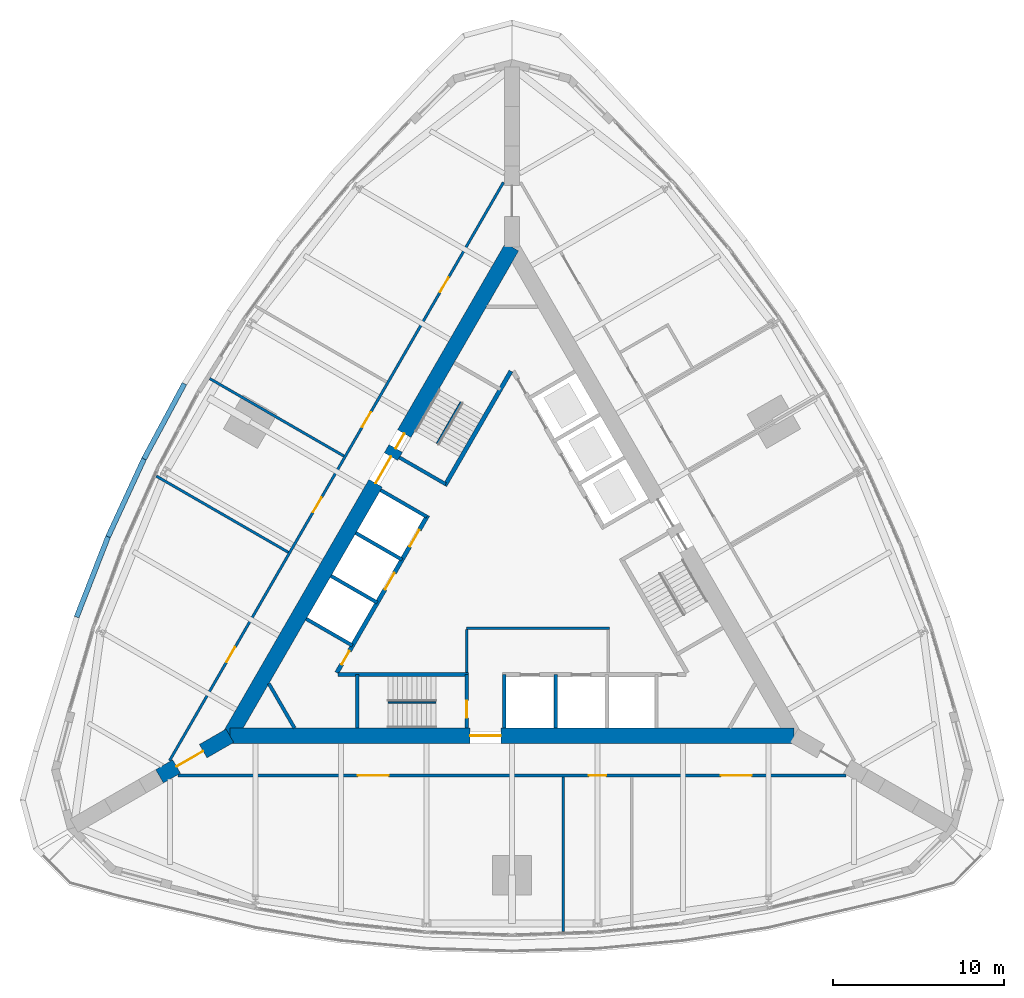
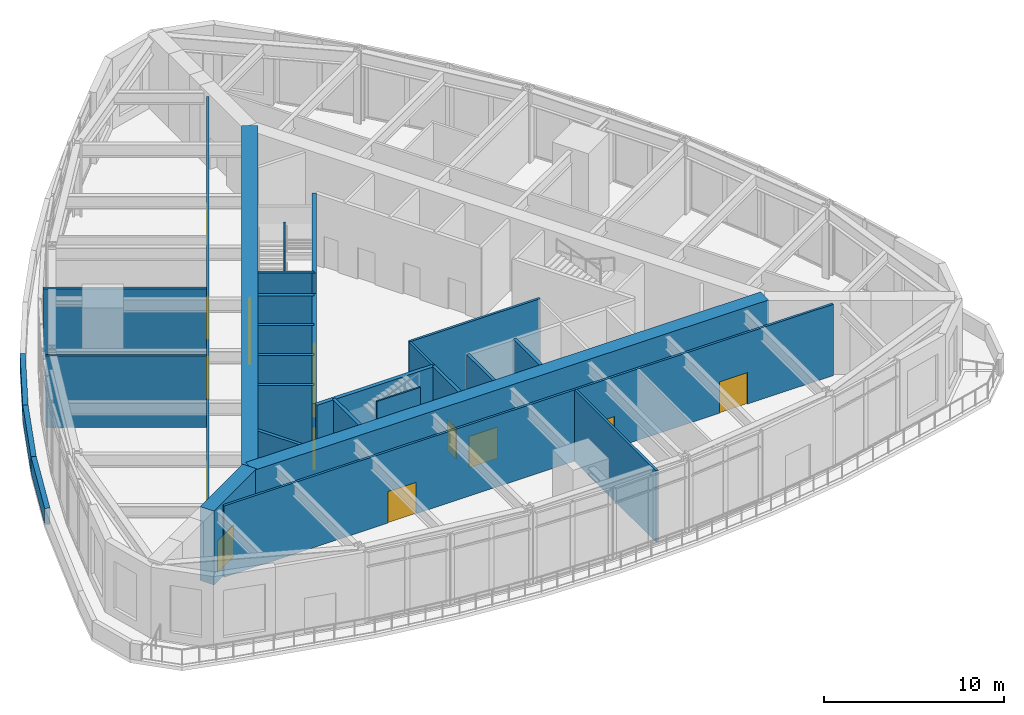
# One storey, part 9 of 14: 28 walls, 15 doors, 15 openings.
"""IFC4 building model written with IfcOpenShell, lengths in metres."""

from ifc_helpers import new_model, si_unit, direction, frame, frame_2d, origin, place, context, subcontext, project, spatial, rectangle, extrude, material, layer, layer_set, type_object, element, fill, save


model = new_model("IFC4")

# Units and contexts
model_context = context("Model", 3, precision=1e-05, world=origin(), true_north=direction((0.0, 1.0)))
body_context = subcontext(model_context, "Body", "Model", "MODEL_VIEW")
ifc_project = project(units=[si_unit("LENGTHUNIT", "METRE"), si_unit("AREAUNIT", "SQUARE_METRE"), si_unit("VOLUMEUNIT", "CUBIC_METRE"), si_unit("PLANEANGLEUNIT", "RADIAN"), si_unit("MASSUNIT", "GRAM", prefix="KILO")], contexts=[model_context])

# Site, building, storey
site_placement = place(None, origin())
site = spatial("IfcSite", under=ifc_project, at=site_placement, CompositionType="ELEMENT")
building_placement = place(site_placement, origin())
building = spatial("IfcBuilding", under=site, at=building_placement, Name="Trikona Tower", CompositionType="ELEMENT")
storey_placement = place(building_placement, frame((0.0, 0.0, 109.699951171875)))
storey = spatial("IfcBuildingStorey", under=building, at=storey_placement, Name="L28", CompositionType="ELEMENT", Elevation=109.699951171875)

# Wall, opening, door
ifc_material_1 = material(Name="Concrete f'c 10000 psi", Category="concrete")
ifc_layer_1 = layer(ifc_material_1, 0.89990234375)
ifc_layer_set_1 = layer_set([ifc_layer_1], Name="Buttress wall 900")
wall_type_1 = type_object("IfcWallType", Name="Buttress wall 900", PredefinedType="SHEAR", material=ifc_layer_set_1)
wall_1_placement = place(storey_placement, frame((-16.5, -9.5263671875, 0.0), z_axis=(0.0, 0.0, 1.0), x_axis=(-0.866031398331, -0.499989616998, 0.0)))
wall_1 = element("IfcWall", 1, at=wall_1_placement, inside=storey, type_object=wall_type_1, Name="Buttress wall 3", PredefinedType="SHEAR", context=body_context, shape_type="SweptSolid", body=[
    extrude(rectangle(XDim=4.74609375, YDim=0.89990234375, at=frame_2d((2.373046875, 0.0))), origin(), (0.0, 0.0, 1.0), 5.0),
])
opening_1_placement = place(wall_1_placement, frame((1.800048828125, 0.0, 0.0)))
opening_1 = element("IfcOpeningElement", 2, at=opening_1_placement, cuts=wall_1, Name="Opening D10", PredefinedType="OPENING", context=body_context, shape_type="SweptSolid", body=[
    extrude(rectangle(XDim=1.800048828125, YDim=2.1298828125, at=frame_2d((0.89990234375, 1.06494140625))), frame((0.0, 0.4599609375, 0.0), z_axis=(0.0, -1.0, 0.0), x_axis=(1.0, 0.0, 0.0)), (0.0, 0.0, 1.0), 0.919921875),
])
ifc_material_2 = material(Name="Hollow metal door and frame", Category="steel")
door_type_1 = type_object("IfcDoorType", Name="Cross-corridor door pair 1800x2130", OperationType="DOUBLE_DOOR_DOUBLE_SWING", PredefinedType="DOOR", material=ifc_material_2)
door_1_placement = place(opening_1_placement, origin())
door_1 = element("IfcDoor", 3, at=door_1_placement, inside=storey, type_object=door_type_1, Name="Cross-corridor door 3", OperationType="DOUBLE_DOOR_DOUBLE_SWING", OverallHeight=2.1298828125, OverallWidth=1.800048828125, PredefinedType="DOOR", context=body_context, shape_type="SweptSolid", body=[
    extrude(rectangle(XDim=1.800048828125, YDim=2.1298828125, at=frame_2d((0.89990234375, 1.06494140625))), frame((0.0, 0.02490234375, 0.0), z_axis=(0.0, -1.0, 0.0), x_axis=(1.0, 0.0, 0.0)), (0.0, 0.0, 1.0), 0.050048828125),
])
fill(opening_1, door_1)

ifc_material_3 = material(Name="Concrete f'c 10000 psi", Category="concrete")
ifc_layer_2 = layer(ifc_material_3, 0.89990234375)
ifc_layer_set_2 = layer_set([ifc_layer_2], Name="Core wall 900")
wall_type_2 = type_object("IfcWallType", Name="Core wall 900", PredefinedType="SHEAR", material=ifc_layer_set_2)
wall_2_placement = place(storey_placement, frame((-16.5, -9.5263671875, 0.0), z_axis=(0.0, 0.0, 1.0), x_axis=(1.0, 0.0, 0.0)))
wall_2 = element("IfcWall", 4, at=wall_2_placement, inside=storey, type_object=wall_type_2, Name="Core wall A", PredefinedType="SHEAR", context=body_context, shape_type="SweptSolid", body=[
    extrude(rectangle(XDim=33.0, YDim=0.89990234375, at=frame_2d((16.5, 0.0))), origin(), (0.0, 0.0, 1.0), 5.0),
])
opening_2_placement = place(wall_2_placement, frame((14.050048828125, 0.0, 0.0)))
opening_2 = element("IfcOpeningElement", 5, at=opening_2_placement, cuts=wall_2, Name="Opening D6", PredefinedType="OPENING", context=body_context, shape_type="SweptSolid", body=[
    extrude(rectangle(XDim=1.800048828125, YDim=2.1298828125, at=frame_2d((0.89990234375, 1.06494140625))), frame((0.0, 0.4599609375, 0.0), z_axis=(0.0, -1.0, 0.0), x_axis=(1.0, 0.0, 0.0)), (0.0, 0.0, 1.0), 0.919921875),
])
ifc_material_4 = material(Name="Hollow metal door and frame", Category="steel")
door_type_2 = type_object("IfcDoorType", Name="Lobby door pair 1800x2130", OperationType="DOUBLE_DOOR_SINGLE_SWING", PredefinedType="DOOR", material=ifc_material_4)
door_2_placement = place(opening_2_placement, origin())
door_2 = element("IfcDoor", 6, at=door_2_placement, inside=storey, type_object=door_type_2, Name="Fire service lift lobby door", OperationType="DOUBLE_DOOR_SINGLE_SWING", OverallHeight=2.1298828125, OverallWidth=1.800048828125, PredefinedType="DOOR", context=body_context, shape_type="SweptSolid", body=[
    extrude(rectangle(XDim=1.800048828125, YDim=2.1298828125, at=frame_2d((0.89990234375, 1.06494140625))), frame((0.0, 0.02490234375, 0.0), z_axis=(0.0, -1.0, 0.0), x_axis=(1.0, 0.0, 0.0)), (0.0, 0.0, 1.0), 0.050048828125),
])
fill(opening_2, door_2)

# Wall, openings, doors
wall_3_placement = place(storey_placement, frame((0.0, 19.052490234375, 0.0), z_axis=(0.0, 0.0, 1.0), x_axis=(-0.499999749417, -0.866025548458, 0.0)))
wall_3 = element("IfcWall", 7, at=wall_3_placement, inside=storey, type_object=wall_type_2, Name="Core wall C", PredefinedType="SHEAR", context=body_context, shape_type="SweptSolid", body=[
    extrude(rectangle(XDim=33.0, YDim=0.89990234375, at=frame_2d((16.5, 0.0))), origin(), (0.0, 0.0, 1.0), 5.0),
])
opening_3_placement = place(wall_3_placement, frame((14.14990234375, 0.0, 0.0)))
opening_3 = element("IfcOpeningElement", 8, at=opening_3_placement, cuts=wall_3, Name="Opening D6", PredefinedType="OPENING", context=body_context, shape_type="SweptSolid", body=[
    extrude(rectangle(XDim=1.800048828125, YDim=2.1298828125, at=frame_2d((0.89990234375, 1.06494140625))), frame((0.0, 0.4599609375, 0.0), z_axis=(0.0, -1.0, 0.0), x_axis=(1.0, 0.0, 0.0)), (0.0, 0.0, 1.0), 0.919921875),
])
opening_4_placement = place(wall_3_placement, frame((12.60009765625, 0.0, 0.0)))
opening_4 = element("IfcOpeningElement", 9, at=opening_4_placement, cuts=wall_3, Name="Opening D5", PredefinedType="OPENING", context=body_context, shape_type="SweptSolid", body=[
    extrude(rectangle(XDim=1.0, YDim=2.1298828125, at=frame_2d((0.5, 1.06494140625))), frame((0.0, 0.4599609375, 0.0), z_axis=(0.0, -1.0, 0.0), x_axis=(1.0, 0.0, 0.0)), (0.0, 0.0, 1.0), 0.919921875),
])
door_3_placement = place(opening_3_placement, origin())
door_3 = element("IfcDoor", 10, at=door_3_placement, inside=storey, type_object=door_type_2, Name="Lift lobby door C", OperationType="DOUBLE_DOOR_SINGLE_SWING", OverallHeight=2.1298828125, OverallWidth=1.800048828125, PredefinedType="DOOR", context=body_context, shape_type="SweptSolid", body=[
    extrude(rectangle(XDim=1.800048828125, YDim=2.1298828125, at=frame_2d((0.89990234375, 1.06494140625))), frame((0.0, 0.02490234375, 0.0), z_axis=(0.0, -1.0, 0.0), x_axis=(1.0, 0.0, 0.0)), (0.0, 0.0, 1.0), 0.050048828125),
])
fill(opening_3, door_3)
ifc_material_5 = material(Name="Hollow metal door and frame", Category="steel")
door_type_3 = type_object("IfcDoorType", Name="Stair door 1000x2130", OperationType="SINGLE_SWING_LEFT", PredefinedType="DOOR", material=ifc_material_5)
door_4_placement = place(opening_4_placement, origin())
door_4 = element("IfcDoor", 11, at=door_4_placement, inside=storey, type_object=door_type_3, Name="Stair C door", OperationType="SINGLE_SWING_RIGHT", OverallHeight=2.1298828125, OverallWidth=1.0, PredefinedType="DOOR", context=body_context, shape_type="SweptSolid", body=[
    extrude(rectangle(XDim=1.0, YDim=2.1298828125, at=frame_2d((0.5, 1.06494140625))), frame((0.0, 0.02490234375, 0.0), z_axis=(0.0, -1.0, 0.0), x_axis=(1.0, 0.0, 0.0)), (0.0, 0.0, 1.0), 0.050048828125),
])
fill(opening_4, door_4)

ifc_material_6 = material(Name="Metal stud and gypsum board, 1-hour", Category="gypsum")
ifc_layer_3 = layer(ifc_material_6, 0.14990234375)
ifc_layer_set_3 = layer_set([ifc_layer_3], Name="Corridor wall 150")
wall_type_3 = type_object("IfcWallType", Name="Corridor wall 150", PredefinedType="PARTITIONING", material=ifc_layer_set_3)
wall_4_placement = place(storey_placement, frame((-19.527099609375, -11.851318359375, 0.0), z_axis=(0.0, 0.0, 1.0), x_axis=(1.0, 0.0, 0.0)))
wall_4 = element("IfcWall", 12, at=wall_4_placement, inside=storey, type_object=wall_type_3, Name="Corridor wall L28-1", PredefinedType="PARTITIONING", context=body_context, shape_type="SweptSolid", body=[
    extrude(rectangle(XDim=39.05419921875, YDim=0.14990234375, at=frame_2d((19.527099609375, 0.0))), origin(), (0.0, 0.0, 1.0), 4.8349609375),
])
opening_5_placement = place(wall_4_placement, frame((10.513427734375, 0.0, 0.0)))
opening_5 = element("IfcOpeningElement", 13, at=opening_5_placement, cuts=wall_4, Name="Opening D4", PredefinedType="OPENING", context=body_context, shape_type="SweptSolid", body=[
    extrude(rectangle(XDim=1.800048828125, YDim=2.1298828125, at=frame_2d((0.89990234375, 1.06494140625))), frame((0.0, 0.0849609375, 0.0), z_axis=(0.0, -1.0, 0.0), x_axis=(1.0, 0.0, 0.0)), (0.0, 0.0, 1.0), 0.169921875),
])
opening_6_placement = place(wall_4_placement, frame((24.027099609375, 0.0, 0.0)))
opening_6 = element("IfcOpeningElement", 14, at=opening_6_placement, cuts=wall_4, Name="Opening D3", PredefinedType="OPENING", context=body_context, shape_type="SweptSolid", body=[
    extrude(rectangle(XDim=1.0, YDim=2.1298828125, at=frame_2d((0.5, 1.06494140625))), frame((0.0, 0.0849609375, 0.0), z_axis=(0.0, -1.0, 0.0), x_axis=(1.0, 0.0, 0.0)), (0.0, 0.0, 1.0), 0.169921875),
])
opening_7_placement = place(wall_4_placement, frame((31.740478515625, 0.0, 0.0)))
opening_7 = element("IfcOpeningElement", 15, at=opening_7_placement, cuts=wall_4, Name="Opening D4", PredefinedType="OPENING", context=body_context, shape_type="SweptSolid", body=[
    extrude(rectangle(XDim=1.800048828125, YDim=2.1298828125, at=frame_2d((0.89990234375, 1.06494140625))), frame((0.0, 0.0849609375, 0.0), z_axis=(0.0, -1.0, 0.0), x_axis=(1.0, 0.0, 0.0)), (0.0, 0.0, 1.0), 0.169921875),
])
ifc_material_7 = material(Name="Steel door frame with solid-core timber leaf", Category="steel")
door_type_4 = type_object("IfcDoorType", Name="Assembly door pair 1800x2130", OperationType="DOUBLE_DOOR_SINGLE_SWING", PredefinedType="DOOR", material=ifc_material_7)
door_5_placement = place(opening_5_placement, origin())
door_5 = element("IfcDoor", 16, at=door_5_placement, inside=storey, type_object=door_type_4, Name="Door Sky lounge", OperationType="DOUBLE_DOOR_SINGLE_SWING", OverallHeight=2.1298828125, OverallWidth=1.800048828125, PredefinedType="DOOR", context=body_context, shape_type="SweptSolid", body=[
    extrude(rectangle(XDim=1.800048828125, YDim=2.1298828125, at=frame_2d((0.89990234375, 1.06494140625))), frame((0.0, 0.02490234375, 0.0), z_axis=(0.0, -1.0, 0.0), x_axis=(1.0, 0.0, 0.0)), (0.0, 0.0, 1.0), 0.050048828125),
])
fill(opening_5, door_5)
door_6_placement = place(opening_7_placement, origin())
door_6 = element("IfcDoor", 17, at=door_6_placement, inside=storey, type_object=door_type_4, Name="Door Sky reception", OperationType="DOUBLE_DOOR_SINGLE_SWING", OverallHeight=2.1298828125, OverallWidth=1.800048828125, PredefinedType="DOOR", context=body_context, shape_type="SweptSolid", body=[
    extrude(rectangle(XDim=1.800048828125, YDim=2.1298828125, at=frame_2d((0.89990234375, 1.06494140625))), frame((0.0, 0.02490234375, 0.0), z_axis=(0.0, -1.0, 0.0), x_axis=(1.0, 0.0, 0.0)), (0.0, 0.0, 1.0), 0.050048828125),
])
fill(opening_7, door_6)
ifc_material_8 = material(Name="Steel door frame with solid-core timber leaf", Category="steel")
door_type_5 = type_object("IfcDoorType", Name="Room door 1000x2130", OperationType="SINGLE_SWING_LEFT", PredefinedType="DOOR", material=ifc_material_8)
door_7_placement = place(opening_6_placement, origin())
door_7 = element("IfcDoor", 18, at=door_7_placement, inside=storey, type_object=door_type_5, Name="Door Luggage room", OperationType="SINGLE_SWING_LEFT", OverallHeight=2.1298828125, OverallWidth=1.0, PredefinedType="DOOR", context=body_context, shape_type="SweptSolid", body=[
    extrude(rectangle(XDim=1.0, YDim=2.1298828125, at=frame_2d((0.5, 1.06494140625))), frame((0.0, 0.02490234375, 0.0), z_axis=(0.0, -1.0, 0.0), x_axis=(1.0, 0.0, 0.0)), (0.0, 0.0, 1.0), 0.050048828125),
])
fill(opening_6, door_7)

wall_5_placement = place(storey_placement, frame((-0.5, 22.83642578125, 0.0), z_axis=(0.0, 0.0, 1.0), x_axis=(-0.500001677587, -0.866024435227, 0.0)))
wall_5 = element("IfcWall", 19, at=wall_5_placement, inside=storey, type_object=wall_type_3, Name="Corridor wall L28-3", PredefinedType="PARTITIONING", context=body_context, shape_type="SweptSolid", body=[
    extrude(rectangle(XDim=39.053955078125, YDim=0.14990234375, at=frame_2d((19.52685546875, 0.0))), origin(), (0.0, 0.0, 1.0), 4.8349609375),
])
opening_8_placement = place(wall_5_placement, frame((6.41357421875, 0.0, 0.0)))
opening_8 = element("IfcOpeningElement", 20, at=opening_8_placement, cuts=wall_5, Name="Opening D3", PredefinedType="OPENING", context=body_context, shape_type="SweptSolid", body=[
    extrude(rectangle(XDim=1.0, YDim=2.1298828125, at=frame_2d((0.5, 1.06494140625))), frame((0.0, 0.0849609375, 0.0), z_axis=(0.0, -1.0, 0.0), x_axis=(1.0, 0.0, 0.0)), (0.0, 0.0, 1.0), 0.169921875),
])
opening_9_placement = place(wall_5_placement, frame((15.527099609375, 0.0, 0.0)))
opening_9 = element("IfcOpeningElement", 21, at=opening_9_placement, cuts=wall_5, Name="Opening D3", PredefinedType="OPENING", context=body_context, shape_type="SweptSolid", body=[
    extrude(rectangle(XDim=1.0, YDim=2.1298828125, at=frame_2d((0.5, 1.06494140625))), frame((0.0, 0.0849609375, 0.0), z_axis=(0.0, -1.0, 0.0), x_axis=(1.0, 0.0, 0.0)), (0.0, 0.0, 1.0), 0.169921875),
])
opening_10_placement = place(wall_5_placement, frame((21.277099609375, 0.0, 0.0)))
opening_10 = element("IfcOpeningElement", 22, at=opening_10_placement, cuts=wall_5, Name="Opening D3", PredefinedType="OPENING", context=body_context, shape_type="SweptSolid", body=[
    extrude(rectangle(XDim=1.0, YDim=2.1298828125, at=frame_2d((0.5, 1.06494140625))), frame((0.0, 0.0849609375, 0.0), z_axis=(0.0, -1.0, 0.0), x_axis=(1.0, 0.0, 0.0)), (0.0, 0.0, 1.0), 0.169921875),
])
opening_11_placement = place(wall_5_placement, frame((31.390380859375, 0.0, 0.0)))
opening_11 = element("IfcOpeningElement", 23, at=opening_11_placement, cuts=wall_5, Name="Opening D3", PredefinedType="OPENING", context=body_context, shape_type="SweptSolid", body=[
    extrude(rectangle(XDim=1.0, YDim=2.1298828125, at=frame_2d((0.5, 1.06494140625))), frame((0.0, 0.0849609375, 0.0), z_axis=(0.0, -1.0, 0.0), x_axis=(1.0, 0.0, 0.0)), (0.0, 0.0, 1.0), 0.169921875),
])
door_8_placement = place(opening_8_placement, origin())
door_8 = element("IfcDoor", 24, at=door_8_placement, inside=storey, type_object=door_type_5, Name="Door Fitness studio", OperationType="SINGLE_SWING_LEFT", OverallHeight=2.1298828125, OverallWidth=1.0, PredefinedType="DOOR", context=body_context, shape_type="SweptSolid", body=[
    extrude(rectangle(XDim=1.0, YDim=2.1298828125, at=frame_2d((0.5, 1.06494140625))), frame((0.0, 0.02490234375, 0.0), z_axis=(0.0, -1.0, 0.0), x_axis=(1.0, 0.0, 0.0)), (0.0, 0.0, 1.0), 0.050048828125),
])
fill(opening_8, door_8)
door_9_placement = place(opening_9_placement, origin())
door_9 = element("IfcDoor", 25, at=door_9_placement, inside=storey, type_object=door_type_5, Name="Door Housekeeping", OperationType="SINGLE_SWING_RIGHT", OverallHeight=2.1298828125, OverallWidth=1.0, PredefinedType="DOOR", context=body_context, shape_type="SweptSolid", body=[
    extrude(rectangle(XDim=1.0, YDim=2.1298828125, at=frame_2d((0.5, 1.06494140625))), frame((0.0, 0.02490234375, 0.0), z_axis=(0.0, -1.0, 0.0), x_axis=(1.0, 0.0, 0.0)), (0.0, 0.0, 1.0), 0.050048828125),
])
fill(opening_9, door_9)
door_10_placement = place(opening_10_placement, origin())
door_10 = element("IfcDoor", 26, at=door_10_placement, inside=storey, type_object=door_type_5, Name="Door Conference room", OperationType="SINGLE_SWING_LEFT", OverallHeight=2.1298828125, OverallWidth=1.0, PredefinedType="DOOR", context=body_context, shape_type="SweptSolid", body=[
    extrude(rectangle(XDim=1.0, YDim=2.1298828125, at=frame_2d((0.5, 1.06494140625))), frame((0.0, 0.02490234375, 0.0), z_axis=(0.0, -1.0, 0.0), x_axis=(1.0, 0.0, 0.0)), (0.0, 0.0, 1.0), 0.050048828125),
])
fill(opening_10, door_10)
door_11_placement = place(opening_11_placement, origin())
door_11 = element("IfcDoor", 27, at=door_11_placement, inside=storey, type_object=door_type_5, Name="Door Business centre", OperationType="SINGLE_SWING_RIGHT", OverallHeight=2.1298828125, OverallWidth=1.0, PredefinedType="DOOR", context=body_context, shape_type="SweptSolid", body=[
    extrude(rectangle(XDim=1.0, YDim=2.1298828125, at=frame_2d((0.5, 1.06494140625))), frame((0.0, 0.02490234375, 0.0), z_axis=(0.0, -1.0, 0.0), x_axis=(1.0, 0.0, 0.0)), (0.0, 0.0, 1.0), 0.050048828125),
])
fill(opening_11, door_11)

# Walls
ifc_material_9 = material(Name="Concrete f'c 8000 psi", Category="concrete")
ifc_layer_4 = layer(ifc_material_9, 0.25)
ifc_layer_set_4 = layer_set([ifc_layer_4], Name="Hub wall 250")
wall_type_4 = type_object("IfcWallType", Name="Hub wall 250", PredefinedType="SOLIDWALL", material=ifc_layer_set_4)
wall_6_placement = place(storey_placement, frame((-10.182861328125, -5.951416015625, 0.0), z_axis=(0.0, 0.0, 1.0), x_axis=(1.0, 0.0, 0.0)))
element("IfcWall", 28, at=wall_6_placement, inside=storey, type_object=wall_type_4, Name="Lift lobby wall A1", PredefinedType="SOLIDWALL", context=body_context, shape_type="SweptSolid", body=[
    extrude(rectangle(XDim=7.6328125, YDim=0.25, at=frame_2d((3.81640625, 0.0))), origin(), (0.0, 0.0, 1.0), 4.8349609375),
])
wall_7_placement = place(storey_placement, frame((-0.0625, 11.794189453125, 0.0), z_axis=(0.0, 0.0, 1.0), x_axis=(-0.500006680225, -0.86602154692, 0.0)))
element("IfcWall", 29, at=wall_7_placement, inside=storey, type_object=wall_type_4, Name="Lift lobby wall C1", PredefinedType="SOLIDWALL", context=body_context, shape_type="SweptSolid", body=[
    extrude(rectangle(XDim=7.73291015625, YDim=0.25, at=frame_2d((3.866455078125, 0.0))), origin(), (0.0, 0.0, 1.0), 4.8349609375),
])

# Wall, openings, doors
wall_8_placement = place(storey_placement, frame((-4.928955078125, 3.365478515625, 0.0), z_axis=(0.0, 0.0, 1.0), x_axis=(-0.499991433582, -0.866030349552, 0.0)))
wall_8 = element("IfcWall", 30, at=wall_8_placement, inside=storey, type_object=wall_type_4, Name="Lift lobby wall C2", PredefinedType="SOLIDWALL", context=body_context, shape_type="SweptSolid", body=[
    extrude(rectangle(XDim=10.633056640625, YDim=0.25, at=frame_2d((5.31640625, 0.0))), origin(), (0.0, 0.0, 1.0), 4.8349609375),
])
opening_12_placement = place(wall_8_placement, frame((9.1640625, 0.0, 0.0)))
opening_12 = element("IfcOpeningElement", 31, at=opening_12_placement, cuts=wall_8, Name="Opening D14", PredefinedType="OPENING", context=body_context, shape_type="SweptSolid", body=[
    extrude(rectangle(XDim=0.89990234375, YDim=2.1298828125, at=frame_2d((0.449951171875, 1.06494140625))), frame((0.0, 0.135009765625, 0.0), z_axis=(0.0, -1.0, 0.0), x_axis=(1.0, 0.0, 0.0)), (0.0, 0.0, 1.0), 0.27001953125),
])
opening_13_placement = place(wall_8_placement, frame((1.0, 0.0, 0.0)))
opening_13 = element("IfcOpeningElement", 32, at=opening_13_placement, cuts=wall_8, Name="Opening LD", PredefinedType="OPENING", context=body_context, shape_type="SweptSolid", body=[
    extrude(rectangle(XDim=1.10009765625, YDim=2.1298828125, at=frame_2d((0.550048828125, 1.06494140625))), frame((0.0, 0.135009765625, 0.0), z_axis=(0.0, -1.0, 0.0), x_axis=(1.0, 0.0, 0.0)), (0.0, 0.0, 1.0), 0.27001953125),
])
opening_14_placement = place(wall_8_placement, frame((3.89990234375, 0.0, 0.0)))
opening_14 = element("IfcOpeningElement", 33, at=opening_14_placement, cuts=wall_8, Name="Opening LD", PredefinedType="OPENING", context=body_context, shape_type="SweptSolid", body=[
    extrude(rectangle(XDim=1.10009765625, YDim=2.1298828125, at=frame_2d((0.550048828125, 1.06494140625))), frame((0.0, 0.135009765625, 0.0), z_axis=(0.0, -1.0, 0.0), x_axis=(1.0, 0.0, 0.0)), (0.0, 0.0, 1.0), 0.27001953125),
])
ifc_material_10 = material(Name="Stainless steel lift landing door", Category="steel")
door_type_6 = type_object("IfcDoorType", Name="Lift landing door 1100x2130", OperationType="DOUBLE_DOOR_SLIDING", PredefinedType="USERDEFINED", material=ifc_material_10)
door_12_placement = place(opening_13_placement, origin())
door_12 = element("IfcDoor", 34, at=door_12_placement, inside=storey, type_object=door_type_6, Name="Lift landing door SH1", ObjectType="LIFT LANDING DOOR", OperationType="DOUBLE_DOOR_SLIDING", OverallHeight=2.1298828125, OverallWidth=1.10009765625, PredefinedType="USERDEFINED", context=body_context, shape_type="SweptSolid", body=[
    extrude(rectangle(XDim=1.10009765625, YDim=2.1298828125, at=frame_2d((0.550048828125, 1.06494140625))), frame((0.0, 0.02490234375, 0.0), z_axis=(0.0, -1.0, 0.0), x_axis=(1.0, 0.0, 0.0)), (0.0, 0.0, 1.0), 0.050048828125),
])
fill(opening_13, door_12)
door_13_placement = place(opening_14_placement, origin())
door_13 = element("IfcDoor", 35, at=door_13_placement, inside=storey, type_object=door_type_6, Name="Lift landing door SH2", ObjectType="LIFT LANDING DOOR", OperationType="DOUBLE_DOOR_SLIDING", OverallHeight=2.1298828125, OverallWidth=1.10009765625, PredefinedType="USERDEFINED", context=body_context, shape_type="SweptSolid", body=[
    extrude(rectangle(XDim=1.10009765625, YDim=2.1298828125, at=frame_2d((0.550048828125, 1.06494140625))), frame((0.0, 0.02490234375, 0.0), z_axis=(0.0, -1.0, 0.0), x_axis=(1.0, 0.0, 0.0)), (0.0, 0.0, 1.0), 0.050048828125),
])
fill(opening_14, door_13)
ifc_material_11 = material(Name="Hollow metal door and frame", Category="steel")
door_type_7 = type_object("IfcDoorType", Name="Service room door 900x2130", OperationType="SINGLE_SWING_LEFT", PredefinedType="DOOR", material=ifc_material_11)
door_14_placement = place(opening_12_placement, origin())
door_14 = element("IfcDoor", 36, at=door_14_placement, inside=storey, type_object=door_type_7, Name="Door Cleaner's store CLN", OperationType="SINGLE_SWING_RIGHT", OverallHeight=2.1298828125, OverallWidth=0.89990234375, PredefinedType="DOOR", context=body_context, shape_type="SweptSolid", body=[
    extrude(rectangle(XDim=0.89990234375, YDim=2.1298828125, at=frame_2d((0.449951171875, 1.06494140625))), frame((0.0, 0.02490234375, 0.0), z_axis=(0.0, -1.0, 0.0), x_axis=(1.0, 0.0, 0.0)), (0.0, 0.0, 1.0), 0.050048828125),
])
fill(opening_12, door_14)

# Walls
ifc_material_12 = material(Name="Metal stud and gypsum board, 2-hour shaft wall", Category="gypsum")
ifc_layer_5 = layer(ifc_material_12, 0.14990234375)
ifc_layer_set_5 = layer_set([ifc_layer_5], Name="Lobby wall 150")
wall_type_5 = type_object("IfcWallType", Name="Lobby wall 150", PredefinedType="PARTITIONING", material=ifc_layer_set_5)
wall_9_placement = place(storey_placement, frame((-2.64990234375, -3.251220703125, 0.0), z_axis=(0.0, 0.0, 1.0), x_axis=(1.0, 0.0, 0.0)))
element("IfcWall", 37, at=wall_9_placement, inside=storey, type_object=wall_type_5, Name="Fire service lift lobby wall 1", PredefinedType="PARTITIONING", context=body_context, shape_type="SweptSolid", body=[
    extrude(rectangle(XDim=8.349853515625, YDim=0.14990234375, at=frame_2d((4.1748046875, 0.0))), origin(), (0.0, 0.0, 1.0), 4.8349609375),
])
wall_10_placement = place(storey_placement, frame((-2.64990234375, -5.826416015625, 0.0), z_axis=(0.0, 0.0, 1.0), x_axis=(0.0, 1.0, 0.0)))
element("IfcWall", 38, at=wall_10_placement, inside=storey, type_object=wall_type_5, Name="Fire service lift lobby wall 2", PredefinedType="PARTITIONING", context=body_context, shape_type="SweptSolid", body=[
    extrude(rectangle(XDim=2.5, YDim=0.14990234375, at=frame_2d((1.25, 0.0))), origin(), (0.0, 0.0, 1.0), 4.8349609375),
])
ifc_material_13 = material(Name="Brick-faced precast concrete", Category="masonry")
ifc_layer_6 = layer(ifc_material_13, 0.300048828125)
ifc_layer_set_6 = layer_set([ifc_layer_6], Name="Parapet wall 300")
wall_type_6 = type_object("IfcWallType", Name="Parapet wall 300", PredefinedType="PARAPET", material=ifc_layer_set_6)
wall_11_placement = place(storey_placement, frame((-25.460693359375, -2.588134765625, 0.0), z_axis=(0.0, 0.0, 1.0), x_axis=(0.364040028131, 0.931383303436, 0.0)))
element("IfcWall", 39, at=wall_11_placement, inside=storey, type_object=wall_type_6, Name="Green roof parapet L28-1-04", PredefinedType="PARAPET", context=body_context, shape_type="SweptSolid", body=[
    extrude(rectangle(XDim=5.04736328125, YDim=0.300048828125, at=frame_2d((2.523681640625, 0.0))), origin(), (0.0, 0.0, 1.0), 1.10009765625),
])
wall_12_placement = place(storey_placement, frame((-23.623291015625, 2.11279296875, 0.0), z_axis=(0.0, 0.0, 1.0), x_axis=(0.419172470684, 0.907906625056, 0.0)))
element("IfcWall", 40, at=wall_12_placement, inside=storey, type_object=wall_type_6, Name="Green roof parapet L28-1-05", PredefinedType="PARAPET", context=body_context, shape_type="SweptSolid", body=[
    extrude(rectangle(XDim=5.011962890625, YDim=0.300048828125, at=frame_2d((2.505859375, 0.0))), origin(), (0.0, 0.0, 1.0), 1.10009765625),
])
wall_13_placement = place(storey_placement, frame((-21.5224609375, 6.6630859375, 0.0), z_axis=(0.0, 0.0, 1.0), x_axis=(0.473402806561, 0.880846060751, 0.0)))
element("IfcWall", 41, at=wall_13_placement, inside=storey, type_object=wall_type_6, Name="Green roof parapet L28-1-06", PredefinedType="PARAPET", context=body_context, shape_type="SweptSolid", body=[
    extrude(rectangle(XDim=4.9931640625, YDim=0.300048828125, at=frame_2d((2.49658203125, 0.0))), origin(), (0.0, 0.0, 1.0), 1.10009765625),
])
ifc_material_14 = material(Name="Metal stud and gypsum board, 1-hour acoustic", Category="gypsum")
ifc_layer_7 = layer(ifc_material_14, 0.14990234375)
ifc_layer_set_7 = layer_set([ifc_layer_7], Name="Party wall 150")
wall_type_7 = type_object("IfcWallType", Name="Party wall 150", PredefinedType="PARTITIONING", material=ifc_layer_set_7)
wall_14_placement = place(storey_placement, frame((3.0, -11.92626953125, 0.0), z_axis=(0.0, 0.0, 1.0), x_axis=(0.0, -1.0, 0.0)))
element("IfcWall", 42, at=wall_14_placement, inside=storey, type_object=wall_type_7, Name="Partition L28 F1 u3", PredefinedType="PARTITIONING", context=body_context, shape_type="SweptSolid", body=[
    extrude(rectangle(XDim=9.04638671875, YDim=0.14990234375, at=frame_2d((4.523193359375, 0.0))), origin(), (0.0, 0.0, 1.0), 4.8349609375),
])
wall_15_placement = place(storey_placement, frame((-9.82861328125, 6.8291015625, 0.0), z_axis=(0.0, 0.0, 1.0), x_axis=(-0.86601827145, 0.500012353362, 0.0)))
element("IfcWall", 43, at=wall_15_placement, inside=storey, type_object=wall_type_7, Name="Partition L28 F3 u-1", PredefinedType="PARTITIONING", context=body_context, shape_type="SweptSolid", body=[
    extrude(rectangle(XDim=9.063720703125, YDim=0.14990234375, at=frame_2d((4.53173828125, 0.0))), origin(), (0.0, 0.0, 1.0), 4.8349609375),
])
wall_16_placement = place(storey_placement, frame((-13.07861328125, 1.199951171875, 0.0), z_axis=(0.0, 0.0, 1.0), x_axis=(-0.866017355174, 0.500013940344, 0.0)))
element("IfcWall", 44, at=wall_16_placement, inside=storey, type_object=wall_type_7, Name="Partition L28 F3 u5.5", PredefinedType="PARTITIONING", context=body_context, shape_type="SweptSolid", body=[
    extrude(rectangle(XDim=8.917724609375, YDim=0.14990234375, at=frame_2d((4.458984375, 0.0))), origin(), (0.0, 0.0, 1.0), 4.8349609375),
])
ifc_material_15 = material(Name="Concrete f'c 8000 psi", Category="concrete")
ifc_layer_8 = layer(ifc_material_15, 0.199951171875)
ifc_layer_set_8 = layer_set([ifc_layer_8], Name="Shaft wall 200")
wall_type_8 = type_object("IfcWallType", Name="Shaft wall 200", PredefinedType="SOLIDWALL", material=ifc_layer_set_8)
for number, where, z_axis, x_axis, name in (
    (45, (-0.449951171875, -5.951416015625, 0.0), (0.0, 0.0, 1.0), (0.0, -1.0, 0.0), "Shaft wall A3"),
    (46, (2.550048828125, -5.951416015625, 0.0), (0.0, 0.0, 1.0), (0.0, -1.0, 0.0), "Shaft wall A4"),
    (47, (-4.97900390625, 3.27880859375, 0.0), (0.0, 0.0, 1.0), (-0.866022959057, 0.500004234368, 0.0), "Shaft wall C3"),
    (48, (-6.428955078125, 0.767333984375, 0.0), (0.0, 0.0, 1.0), (-0.866022959057, 0.500004234368, 0.0), "Shaft wall C4"),
    (49, (-7.87890625, -1.744140625, 0.0), (0.0, 0.0, 1.0), (-0.866022959057, 0.500004234368, 0.0), "Shaft wall C5"),
    (50, (-9.3291015625, -4.255615234375, 0.0), (0.0, 0.0, 1.0), (-0.866022959057, 0.500004234368, 0.0), "Shaft wall C6"),
):
    element("IfcWall", number, at=place(storey_placement, frame(where, z_axis=z_axis, x_axis=x_axis)), inside=storey, type_object=wall_type_8, Name=name, PredefinedType="SOLIDWALL", context=body_context, shape_type="SweptSolid", body=[
        extrude(rectangle(XDim=3.125, YDim=0.199951171875, at=frame_2d((1.5625, 0.0))), origin(), (0.0, 0.0, 1.0), 4.8349609375),
    ])
wall_17_placement = place(storey_placement, frame((-12.718505859375, -9.076416015625, 0.0), z_axis=(0.0, 0.0, 1.0), x_axis=(-0.499952404951, 0.866052881055, 0.0)))
element("IfcWall", 51, at=wall_17_placement, inside=storey, type_object=wall_type_8, Name="Riser wall L28-RS3", PredefinedType="SOLIDWALL", context=body_context, shape_type="SweptSolid", body=[
    extrude(rectangle(XDim=3.002197265625, YDim=0.199951171875, at=frame_2d((1.5009765625, 0.0))), origin(), (0.0, 0.0, 1.0), 4.8349609375),
])
ifc_material_16 = material(Name="Concrete f'c 8000 psi", Category="concrete")
ifc_layer_9 = layer(ifc_material_16, 0.199951171875)
ifc_layer_set_9 = layer_set([ifc_layer_9], Name="Shaft wall 200 load-bearing")
wall_type_9 = type_object("IfcWallType", Name="Shaft wall 200 load-bearing", PredefinedType="SOLIDWALL", material=ifc_layer_set_9)
wall_18_placement = place(storey_placement, frame((-9.050048828125, -5.951416015625, 0.0), z_axis=(0.0, 0.0, 1.0), x_axis=(0.0, -1.0, 0.0)))
element("IfcWall", 52, at=wall_18_placement, inside=storey, type_object=wall_type_9, Name="Shaft wall A1", PredefinedType="SOLIDWALL", context=body_context, shape_type="SweptSolid", body=[
    extrude(rectangle(XDim=3.125, YDim=0.199951171875, at=frame_2d((1.5625, 0.0))), origin(), (0.0, 0.0, 1.0), 4.8349609375),
])

# Wall, opening, door
wall_19_placement = place(storey_placement, frame((-2.64990234375, -5.951416015625, 0.0), z_axis=(0.0, 0.0, 1.0), x_axis=(0.0, -1.0, 0.0)))
wall_19 = element("IfcWall", 53, at=wall_19_placement, inside=storey, type_object=wall_type_9, Name="Shaft wall A2", PredefinedType="SOLIDWALL", context=body_context, shape_type="SweptSolid", body=[
    extrude(rectangle(XDim=3.125, YDim=0.199951171875, at=frame_2d((1.5625, 0.0))), origin(), (0.0, 0.0, 1.0), 4.8349609375),
])
opening_15_placement = place(wall_19_placement, frame((1.52490234375, 0.0, 0.0)))
opening_15 = element("IfcOpeningElement", 54, at=opening_15_placement, cuts=wall_19, Name="Opening D5", PredefinedType="OPENING", context=body_context, shape_type="SweptSolid", body=[
    extrude(rectangle(XDim=1.0, YDim=2.1298828125, at=frame_2d((0.5, 1.06494140625))), frame((0.0, 0.10986328125, 0.0), z_axis=(0.0, -1.0, 0.0), x_axis=(1.0, 0.0, 0.0)), (0.0, 0.0, 1.0), 0.219970703125),
])
door_15_placement = place(opening_15_placement, origin())
door_15 = element("IfcDoor", 55, at=door_15_placement, inside=storey, type_object=door_type_3, Name="Stair A door", OperationType="SINGLE_SWING_RIGHT", OverallHeight=2.1298828125, OverallWidth=1.0, PredefinedType="DOOR", context=body_context, shape_type="SweptSolid", body=[
    extrude(rectangle(XDim=1.0, YDim=2.1298828125, at=frame_2d((0.5, 1.06494140625))), frame((0.0, 0.02490234375, 0.0), z_axis=(0.0, -1.0, 0.0), x_axis=(1.0, 0.0, 0.0)), (0.0, 0.0, 1.0), 0.050048828125),
])
fill(opening_15, door_15)

# Walls
wall_20_placement = place(storey_placement, frame((-3.87890625, 5.18408203125, 0.0), z_axis=(0.0, 0.0, 1.0), x_axis=(-0.866022959057, 0.500004234368, 0.0)))
element("IfcWall", 56, at=wall_20_placement, inside=storey, type_object=wall_type_9, Name="Shaft wall C2", PredefinedType="SOLIDWALL", context=body_context, shape_type="SweptSolid", body=[
    extrude(rectangle(XDim=3.125, YDim=0.199951171875, at=frame_2d((1.5625, 0.0))), origin(), (0.0, 0.0, 1.0), 4.8349609375),
])
ifc_material_17 = material(Name="Concrete f'c 5000 psi", Category="concrete")
ifc_layer_10 = layer(ifc_material_17, 0.10009765625)
ifc_layer_set_10 = layer_set([ifc_layer_10], Name="Stair spine wall 100")
wall_type_10 = type_object("IfcWallType", Name="Stair spine wall 100", PredefinedType="SOLIDWALL", material=ifc_layer_set_10)
wall_21_placement = place(storey_placement, frame((-7.2470703125, -7.576416015625, 0.0), z_axis=(0.0, 0.0, 1.0), x_axis=(1.0, 0.0, 0.0)))
element("IfcWall", 57, at=wall_21_placement, inside=storey, type_object=wall_type_10, Name="Stair A spine wall L28", PredefinedType="SOLIDWALL", context=body_context, shape_type="SweptSolid", body=[
    extrude(rectangle(XDim=2.794189453125, YDim=0.10009765625, at=frame_2d((1.39697265625, 0.0))), origin(), (0.0, 0.0, 1.0), 5.0),
])
wall_22_placement = place(storey_placement, frame((-2.98779296875, 9.9775390625, 0.0), z_axis=(0.0, 0.0, 1.0), x_axis=(-0.499992232847, -0.866029888106, 0.0)))
element("IfcWall", 58, at=wall_22_placement, inside=storey, type_object=wall_type_10, Name="Stair C spine wall L28", PredefinedType="SOLIDWALL", context=body_context, shape_type="SweptSolid", body=[
    extrude(rectangle(XDim=2.7939453125, YDim=0.10009765625, at=frame_2d((1.39697265625, 0.0))), origin(), (0.0, 0.0, 1.0), 5.0),
])

save(model, "model.ifc")
